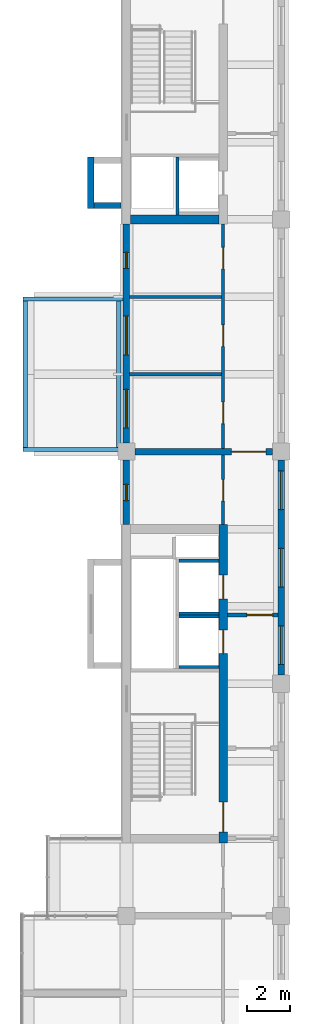
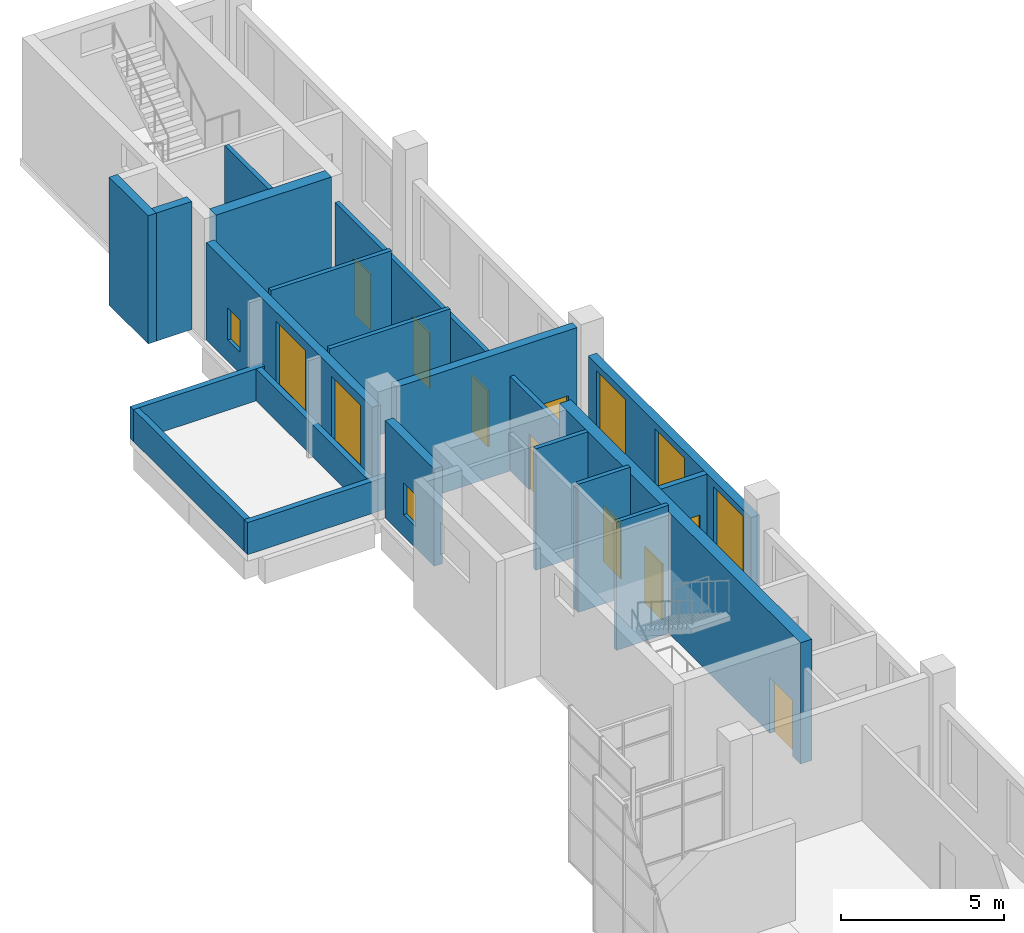
# One storey, part 7 of 9: 22 walls, 9 doors, 7 windows, 16 openings.
"""IFC4 building model written with IfcOpenShell, lengths in metres."""

from ifc_helpers import new_model, si_unit, direction, frame, frame_2d, origin, place, context, subcontext, project, spatial, rectangle, extrude, material, layer, layer_set, type_object, element, fill, save


model = new_model("IFC4")

# Units and contexts
model_context = context("Model", 3, precision=1e-05, world=origin(), true_north=direction((0.0, 1.0)))
body_context = subcontext(model_context, "Body", "Model", "MODEL_VIEW")
ifc_project = project(units=[si_unit("LENGTHUNIT", "METRE"), si_unit("AREAUNIT", "SQUARE_METRE"), si_unit("VOLUMEUNIT", "CUBIC_METRE"), si_unit("PLANEANGLEUNIT", "RADIAN"), si_unit("MASSUNIT", "GRAM", prefix="KILO")], contexts=[model_context])

# Site, building, storey
site_placement = place(None, origin())
site = spatial("IfcSite", under=ifc_project, at=site_placement, CompositionType="ELEMENT")
building_placement = place(site_placement, origin())
building = spatial("IfcBuilding", under=site, at=building_placement, Name="Basin Gate Institute", CompositionType="ELEMENT")
storey_placement = place(building_placement, frame((0.0, 0.0, 70.199951171875)))
storey = spatial("IfcBuildingStorey", under=building, at=storey_placement, Name="L14", CompositionType="ELEMENT", Elevation=70.199951171875)

# Wall, opening, door
ifc_material_1 = material(Name="Fire-rated masonry", Category="masonry")
ifc_layer_1 = layer(ifc_material_1, 0.199951171875)
ifc_layer_set_1 = layer_set([ifc_layer_1], Name="Enclosure wall PW2 200 EI 60")
wall_type_1 = type_object("IfcWallType", Name="Enclosure wall PW2 200 EI 60", PredefinedType="PARTITIONING", material=ifc_layer_set_1)
wall_1_placement = place(storey_placement, frame((65.89990234375, 70.699951171875, 0.0), z_axis=(0.0, 0.0, 1.0), x_axis=(1.0, 0.0, 0.0)))
wall_1 = element("IfcWall", 1, at=wall_1_placement, inside=storey, type_object=wall_type_1, material=ifc_layer_set_1, Name="Emergency lift lobby wall PW2 L14", PredefinedType="PARTITIONING", context=body_context, shape_type="SweptSolid", body=[
    extrude(rectangle(XDim=2.35009765625, YDim=0.199951171875, at=frame_2d((1.175048828125, 0.0))), origin(), (0.0, 0.0, 1.0), 3.550048828125),
])
opening_1_placement = place(wall_1_placement, frame((0.89990234375, 0.0, 0.0)))
opening_1 = element("IfcOpeningElement", 2, at=opening_1_placement, cuts=wall_1, Name="Opening DR524", PredefinedType="OPENING", context=body_context, shape_type="SweptSolid", body=[
    extrude(rectangle(XDim=1.199951171875, YDim=2.10009765625, at=frame_2d((0.60009765625, 1.050048828125))), frame((0.0, 0.10986328125, 0.0), z_axis=(0.0, -1.0, 0.0), x_axis=(1.0, 0.0, 0.0)), (0.0, 0.0, 1.0), 0.219970703125),
])
ifc_material_2 = material(Name="Steel fire door", Category="steel")
door_type_1 = type_object("IfcDoorType", Name="FD60 Emergency lift lobby door D9", OperationType="NOTDEFINED", PredefinedType="DOOR", material=ifc_material_2)
door_1_placement = place(opening_1_placement, frame((1.199951171875, 0.0, 0.0), z_axis=(0.0, 0.0, 1.0), x_axis=(-1.0, 0.0, 0.0)))
door_1 = element("IfcDoor", 3, at=door_1_placement, inside=storey, type_object=door_type_1, material=ifc_material_2, Name="Emergency lift lobby door LF1 L14", OperationType="SINGLE_SWING_LEFT", OverallHeight=2.10009765625, OverallWidth=1.199951171875, PredefinedType="DOOR", context=body_context, shape_type="SweptSolid", body=[
    extrude(rectangle(XDim=1.199951171875, YDim=2.10009765625, at=frame_2d((0.60009765625, 1.050048828125))), frame((0.0, 0.02490234375, 0.0), z_axis=(0.0, -1.0, 0.0), x_axis=(1.0, 0.0, 0.0)), (0.0, 0.0, 1.0), 0.050048828125),
])
fill(opening_1, door_1)

# Wall, opening, window
ifc_material_3 = material(Name="Aluminium-faced insulated panel wall", Category="aluminium")
ifc_layer_2 = layer(ifc_material_3, 0.300048828125)
ifc_layer_set_2 = layer_set([ifc_layer_2], Name="External wall EW5 EI 60")
wall_type_2 = type_object("IfcWallType", Name="External wall EW5 EI 60", PredefinedType="STANDARD", material=ifc_layer_set_2)
wall_2_placement = place(storey_placement, frame((61.199951171875, 74.89990234375, 0.0), z_axis=(0.0, 0.0, 1.0), x_axis=(0.0, 1.0, 0.0)))
wall_2 = element("IfcWall", 4, at=wall_2_placement, inside=storey, type_object=wall_type_2, material=ifc_layer_set_2, Name="External wall W facade L14 1", PredefinedType="STANDARD", context=body_context, shape_type="SweptSolid", body=[
    extrude(rectangle(XDim=3.0, YDim=0.300048828125, at=frame_2d((1.5, 0.0))), origin(), (0.0, 0.0, 1.0), 3.650146484375),
])
opening_2_placement = place(wall_2_placement, frame((1.125, 0.0, 0.800048828125)))
opening_2 = element("IfcOpeningElement", 5, at=opening_2_placement, cuts=wall_2, Name="Opening WN3", PredefinedType="OPENING", context=body_context, shape_type="SweptSolid", body=[
    extrude(rectangle(XDim=0.75, YDim=1.199951171875, at=frame_2d((0.375, 0.60009765625))), frame((0.0, 0.16015625, 0.0), z_axis=(0.0, -1.0, 0.0), x_axis=(1.0, 0.0, 0.0)), (0.0, 0.0, 1.0), 0.320068359375),
])
ifc_material_4 = material(Name="Aluminium-framed double glazing", Category="aluminium")
window_type_1 = type_object("IfcWindowType", Name="Emergency entry panel WN3", PartitioningType="SINGLE_PANEL", PredefinedType="WINDOW", material=ifc_material_4)
window_1_placement = place(opening_2_placement, origin())
window_1 = element("IfcWindow", 6, at=window_1_placement, inside=storey, type_object=window_type_1, material=ifc_material_4, Name="Emergency entry panel W facade L14 bay 12", OverallHeight=1.199951171875, OverallWidth=0.75, PartitioningType="SINGLE_PANEL", PredefinedType="WINDOW", context=body_context, shape_type="SweptSolid", body=[
    extrude(rectangle(XDim=0.75, YDim=1.199951171875, at=frame_2d((0.375, 0.60009765625))), frame((0.0, 0.030029296875, 0.0), z_axis=(0.0, -1.0, 0.0), x_axis=(1.0, 0.0, 0.0)), (0.0, 0.0, 1.0), 0.06005859375),
])
fill(opening_2, window_1)

# Wall, openings, windows
wall_3_placement = place(storey_placement, frame((61.199951171875, 78.699951171875, 0.0), z_axis=(0.0, 0.0, 1.0), x_axis=(0.0, 1.0, 0.0)))
wall_3 = element("IfcWall", 7, at=wall_3_placement, inside=storey, type_object=wall_type_2, material=ifc_layer_set_2, Name="External wall W facade L14 2", PredefinedType="STANDARD", context=body_context, shape_type="SweptSolid", body=[
    extrude(rectangle(XDim=10.199951171875, YDim=0.300048828125, at=frame_2d((5.10009765625, 0.0))), origin(), (0.0, 0.0, 1.0), 3.650146484375),
])
opening_3_placement = place(wall_3_placement, frame((0.699951171875, 0.0, 0.89990234375)))
opening_3 = element("IfcOpeningElement", 8, at=opening_3_placement, cuts=wall_3, Name="Opening WN1", PredefinedType="OPENING", context=body_context, shape_type="SweptSolid", body=[
    extrude(rectangle(XDim=1.800048828125, YDim=2.39990234375, at=frame_2d((0.89990234375, 1.199951171875))), frame((0.0, 0.16015625, 0.0), z_axis=(0.0, -1.0, 0.0), x_axis=(1.0, 0.0, 0.0)), (0.0, 0.0, 1.0), 0.320068359375),
])
opening_4_placement = place(wall_3_placement, frame((4.10009765625, 0.0, 0.89990234375)))
opening_4 = element("IfcOpeningElement", 9, at=opening_4_placement, cuts=wall_3, Name="Opening WN1", PredefinedType="OPENING", context=body_context, shape_type="SweptSolid", body=[
    extrude(rectangle(XDim=1.800048828125, YDim=2.39990234375, at=frame_2d((0.89990234375, 1.199951171875))), frame((0.0, 0.16015625, 0.0), z_axis=(0.0, -1.0, 0.0), x_axis=(1.0, 0.0, 0.0)), (0.0, 0.0, 1.0), 0.320068359375),
])
opening_5_placement = place(wall_3_placement, frame((8.125, 0.0, 0.800048828125)))
opening_5 = element("IfcOpeningElement", 10, at=opening_5_placement, cuts=wall_3, Name="Opening WN3", PredefinedType="OPENING", context=body_context, shape_type="SweptSolid", body=[
    extrude(rectangle(XDim=0.75, YDim=1.199951171875, at=frame_2d((0.375, 0.60009765625))), frame((0.0, 0.16015625, 0.0), z_axis=(0.0, -1.0, 0.0), x_axis=(1.0, 0.0, 0.0)), (0.0, 0.0, 1.0), 0.320068359375),
])
window_2_placement = place(opening_5_placement, origin())
window_2 = element("IfcWindow", 11, at=window_2_placement, inside=storey, type_object=window_type_1, material=ifc_material_4, Name="Emergency entry panel W facade L14 bay 15", OverallHeight=1.199951171875, OverallWidth=0.75, PartitioningType="SINGLE_PANEL", PredefinedType="WINDOW", context=body_context, shape_type="SweptSolid", body=[
    extrude(rectangle(XDim=0.75, YDim=1.199951171875, at=frame_2d((0.375, 0.60009765625))), frame((0.0, 0.030029296875, 0.0), z_axis=(0.0, -1.0, 0.0), x_axis=(1.0, 0.0, 0.0)), (0.0, 0.0, 1.0), 0.06005859375),
])
fill(opening_5, window_2)
ifc_material_5 = material(Name="Aluminium-framed double glazing", Category="aluminium")
window_type_2 = type_object("IfcWindowType", Name="Facade window WN1", PartitioningType="SINGLE_PANEL", PredefinedType="WINDOW", material=ifc_material_5)
window_3_placement = place(opening_3_placement, origin())
window_3 = element("IfcWindow", 12, at=window_3_placement, inside=storey, type_object=window_type_2, material=ifc_material_5, Name="Facade window W facade L14 bay 13", OverallHeight=2.39990234375, OverallWidth=1.800048828125, PartitioningType="SINGLE_PANEL", PredefinedType="WINDOW", context=body_context, shape_type="SweptSolid", body=[
    extrude(rectangle(XDim=1.800048828125, YDim=2.39990234375, at=frame_2d((0.89990234375, 1.199951171875))), frame((0.0, 0.030029296875, 0.0), z_axis=(0.0, -1.0, 0.0), x_axis=(1.0, 0.0, 0.0)), (0.0, 0.0, 1.0), 0.06005859375),
])
fill(opening_3, window_3)
window_4_placement = place(opening_4_placement, origin())
window_4 = element("IfcWindow", 13, at=window_4_placement, inside=storey, type_object=window_type_2, material=ifc_material_5, Name="Facade window W facade L14 bay 14", OverallHeight=2.39990234375, OverallWidth=1.800048828125, PartitioningType="SINGLE_PANEL", PredefinedType="WINDOW", context=body_context, shape_type="SweptSolid", body=[
    extrude(rectangle(XDim=1.800048828125, YDim=2.39990234375, at=frame_2d((0.89990234375, 1.199951171875))), frame((0.0, 0.030029296875, 0.0), z_axis=(0.0, -1.0, 0.0), x_axis=(1.0, 0.0, 0.0)), (0.0, 0.0, 1.0), 0.06005859375),
])
fill(opening_4, window_4)

wall_4_placement = place(storey_placement, frame((68.39990234375, 67.89990234375, 0.0), z_axis=(0.0, 0.0, 1.0), x_axis=(0.0, 1.0, 0.0)))
wall_4 = element("IfcWall", 14, at=wall_4_placement, inside=storey, type_object=wall_type_2, material=ifc_layer_set_2, Name="External wall W step face L14 bay 4", PredefinedType="STANDARD", context=body_context, shape_type="SweptSolid", body=[
    extrude(rectangle(XDim=10.0, YDim=0.300048828125, at=frame_2d((5.0, 0.0))), origin(), (0.0, 0.0, 1.0), 3.550048828125),
])
opening_6_placement = place(wall_4_placement, frame((0.5, 0.0, 0.89990234375)))
opening_6 = element("IfcOpeningElement", 15, at=opening_6_placement, cuts=wall_4, Name="Opening WN6", PredefinedType="OPENING", context=body_context, shape_type="SweptSolid", body=[
    extrude(rectangle(XDim=1.800048828125, YDim=2.39990234375, at=frame_2d((0.89990234375, 1.199951171875))), frame((0.0, 0.16015625, 0.0), z_axis=(0.0, -1.0, 0.0), x_axis=(1.0, 0.0, 0.0)), (0.0, 0.0, 1.0), 0.320068359375),
])
opening_7_placement = place(wall_4_placement, frame((4.10009765625, 0.0, 0.89990234375)))
opening_7 = element("IfcOpeningElement", 16, at=opening_7_placement, cuts=wall_4, Name="Opening WV1", PredefinedType="OPENING", context=body_context, shape_type="SweptSolid", body=[
    extrude(rectangle(XDim=1.800048828125, YDim=2.39990234375, at=frame_2d((0.89990234375, 1.199951171875))), frame((0.0, 0.16015625, 0.0), z_axis=(0.0, -1.0, 0.0), x_axis=(1.0, 0.0, 0.0)), (0.0, 0.0, 1.0), 0.320068359375),
])
opening_8_placement = place(wall_4_placement, frame((7.699951171875, 0.0, 0.89990234375)))
opening_8 = element("IfcOpeningElement", 17, at=opening_8_placement, cuts=wall_4, Name="Opening WN1", PredefinedType="OPENING", context=body_context, shape_type="SweptSolid", body=[
    extrude(rectangle(XDim=1.800048828125, YDim=2.39990234375, at=frame_2d((0.89990234375, 1.199951171875))), frame((0.0, 0.16015625, 0.0), z_axis=(0.0, -1.0, 0.0), x_axis=(1.0, 0.0, 0.0)), (0.0, 0.0, 1.0), 0.320068359375),
])
window_5_placement = place(opening_8_placement, origin())
window_5 = element("IfcWindow", 18, at=window_5_placement, inside=storey, type_object=window_type_2, material=ifc_material_5, Name="Facade window W step face L14 bay 4.3", OverallHeight=2.39990234375, OverallWidth=1.800048828125, PartitioningType="SINGLE_PANEL", PredefinedType="WINDOW", context=body_context, shape_type="SweptSolid", body=[
    extrude(rectangle(XDim=1.800048828125, YDim=2.39990234375, at=frame_2d((0.89990234375, 1.199951171875))), frame((0.0, 0.030029296875, 0.0), z_axis=(0.0, -1.0, 0.0), x_axis=(1.0, 0.0, 0.0)), (0.0, 0.0, 1.0), 0.06005859375),
])
fill(opening_8, window_5)
ifc_material_6 = material(Name="Fire-resistant glazing in steel-free frame", Category="steel")
window_type_3 = type_object("IfcWindowType", Name="Fire-rated fixed step window WN6", PartitioningType="SINGLE_PANEL", PredefinedType="WINDOW", material=ifc_material_6)
window_6_placement = place(opening_6_placement, origin())
window_6 = element("IfcWindow", 19, at=window_6_placement, inside=storey, type_object=window_type_3, material=ifc_material_6, Name="Fire-rated fixed step window W step face L14 bay 4.1", OverallHeight=2.39990234375, OverallWidth=1.800048828125, PartitioningType="SINGLE_PANEL", PredefinedType="WINDOW", context=body_context, shape_type="SweptSolid", body=[
    extrude(rectangle(XDim=1.800048828125, YDim=2.39990234375, at=frame_2d((0.89990234375, 1.199951171875))), frame((0.0, 0.030029296875, 0.0), z_axis=(0.0, -1.0, 0.0), x_axis=(1.0, 0.0, 0.0)), (0.0, 0.0, 1.0), 0.06005859375),
])
fill(opening_6, window_6)
ifc_material_7 = material(Name="Aluminium louvre blades", Category="aluminium")
window_type_4 = type_object("IfcWindowType", Name="Services louvre panel WV1", PartitioningType="SINGLE_PANEL", PredefinedType="WINDOW", material=ifc_material_7)
window_7_placement = place(opening_7_placement, origin())
window_7 = element("IfcWindow", 20, at=window_7_placement, inside=storey, type_object=window_type_4, material=ifc_material_7, Name="Services louvre panel W step face L14 bay 4.2", OverallHeight=2.39990234375, OverallWidth=1.800048828125, PartitioningType="SINGLE_PANEL", PredefinedType="WINDOW", context=body_context, shape_type="SweptSolid", body=[
    extrude(rectangle(XDim=1.800048828125, YDim=2.39990234375, at=frame_2d((0.89990234375, 1.199951171875))), frame((0.0, 0.030029296875, 0.0), z_axis=(0.0, -1.0, 0.0), x_axis=(1.0, 0.0, 0.0)), (0.0, 0.0, 1.0), 0.06005859375),
])
fill(opening_7, window_7)

# Walls
ifc_material_8 = material(Name="Concrete 40 MPa", Category="concrete")
ifc_layer_3 = layer(ifc_material_8, 0.199951171875)
ifc_layer_set_3 = layer_set([ifc_layer_3], Name="Concrete 40 MPa")
wall_type_3 = type_object("IfcWallType", Name="Parapet wall PA1", PredefinedType="PARAPET", material=ifc_layer_set_3)
wall_5_placement = place(storey_placement, frame((61.60009765625, 78.39990234375, 0.0), z_axis=(0.0, 0.0, 1.0), x_axis=(-1.0, 0.0, 0.0)))
element("IfcWall", 21, at=wall_5_placement, inside=storey, type_object=wall_type_3, material=ifc_layer_set_3, Name="Parapet wall PA1 L14 W1", PredefinedType="PARAPET", context=body_context, shape_type="SweptSolid", body=[
    extrude(rectangle(XDim=5.2001953125, YDim=0.199951171875, at=frame_2d((2.60009765625, 0.0))), origin(), (0.0, 0.0, 1.0), 1.199951171875),
])
wall_6_placement = place(storey_placement, frame((56.5, 78.5, 0.0), z_axis=(0.0, 0.0, 1.0), x_axis=(0.0, 1.0, 0.0)))
element("IfcWall", 22, at=wall_6_placement, inside=storey, type_object=wall_type_3, material=ifc_layer_set_3, Name="Parapet wall PA1 L14 W2", PredefinedType="PARAPET", context=body_context, shape_type="SweptSolid", body=[
    extrude(rectangle(XDim=6.800048828125, YDim=0.199951171875, at=frame_2d((3.39990234375, 0.0))), origin(), (0.0, 0.0, 1.0), 1.199951171875),
])
wall_7_placement = place(storey_placement, frame((56.39990234375, 85.39990234375, 0.0), z_axis=(0.0, 0.0, 1.0), x_axis=(1.0, 0.0, 0.0)))
element("IfcWall", 23, at=wall_7_placement, inside=storey, type_object=wall_type_3, material=ifc_layer_set_3, Name="Parapet wall PA1 L14 W3", PredefinedType="PARAPET", context=body_context, shape_type="SweptSolid", body=[
    extrude(rectangle(XDim=4.650146484375, YDim=0.199951171875, at=frame_2d((2.3251953125, 0.0))), origin(), (0.0, 0.0, 1.0), 1.199951171875),
])
wall_8_placement = place(storey_placement, frame((60.85009765625, 85.300048828125, 0.0), z_axis=(0.0, 0.0, 1.0), x_axis=(0.0, -1.0, 0.0)))
element("IfcWall", 24, at=wall_8_placement, inside=storey, type_object=wall_type_3, material=ifc_layer_set_3, Name="Parapet wall PA1 L14 W4", PredefinedType="PARAPET", context=body_context, shape_type="SweptSolid", body=[
    extrude(rectangle(XDim=6.800048828125, YDim=0.199951171875, at=frame_2d((3.39990234375, 0.0))), origin(), (0.0, 0.0, 1.0), 1.199951171875),
])

# Wall, opening, door
ifc_material_9 = material(Name="Gypsum board on steel stud", Category="steel")
ifc_layer_4 = layer(ifc_material_9, 0.14990234375)
ifc_layer_set_4 = layer_set([ifc_layer_4], Name="Gypsum board on steel stud")
wall_type_4 = type_object("IfcWallType", Name="Partition PW1 150 EI 60", PredefinedType="PARTITIONING", material=ifc_layer_set_4)
wall_9_placement = place(storey_placement, frame((65.699951171875, 74.89990234375, 0.0), z_axis=(0.0, 0.0, 1.0), x_axis=(0.0, 1.0, 0.0)))
wall_9 = element("IfcWall", 25, at=wall_9_placement, inside=storey, type_object=wall_type_4, material=ifc_layer_set_4, Name="Corridor wall PW1 L14", PredefinedType="PARTITIONING", context=body_context, shape_type="SweptSolid", body=[
    extrude(rectangle(XDim=3.25, YDim=0.14990234375, at=frame_2d((1.625, 0.0))), origin(), (0.0, 0.0, 1.0), 3.550048828125),
])
opening_9_placement = place(wall_9_placement, frame((1.10009765625, 0.0, 0.0)))
opening_9 = element("IfcOpeningElement", 26, at=opening_9_placement, cuts=wall_9, Name="Opening DR519", PredefinedType="OPENING", context=body_context, shape_type="SweptSolid", body=[
    extrude(rectangle(XDim=1.0, YDim=2.10009765625, at=frame_2d((0.5, 1.050048828125))), frame((0.0, 0.0849609375, 0.0), z_axis=(0.0, -1.0, 0.0), x_axis=(1.0, 0.0, 0.0)), (0.0, 0.0, 1.0), 0.169921875),
])
ifc_material_10 = material(Name="Timber fire door", Category="wood")
door_type_2 = type_object("IfcDoorType", Name="FD30 Toilet door D3", OperationType="NOTDEFINED", PredefinedType="DOOR", material=ifc_material_10)
door_2_placement = place(opening_9_placement, origin())
door_2 = element("IfcDoor", 27, at=door_2_placement, inside=storey, type_object=door_type_2, material=ifc_material_10, Name="Door to Female WC L14", OperationType="SINGLE_SWING_LEFT", OverallHeight=2.10009765625, OverallWidth=1.0, PredefinedType="DOOR", context=body_context, shape_type="SweptSolid", body=[
    extrude(rectangle(XDim=1.0, YDim=2.10009765625, at=frame_2d((0.5, 1.050048828125))), frame((0.0, 0.02490234375, 0.0), z_axis=(0.0, -1.0, 0.0), x_axis=(1.0, 0.0, 0.0)), (0.0, 0.0, 1.0), 0.050048828125),
])
fill(opening_9, door_2)

# Wall, openings, doors
wall_10_placement = place(storey_placement, frame((65.699951171875, 78.449951171875, 0.0), z_axis=(0.0, 0.0, 1.0), x_axis=(0.0, 1.0, 0.0)))
wall_10 = element("IfcWall", 28, at=wall_10_placement, inside=storey, type_object=wall_type_4, material=ifc_layer_set_4, Name="Corridor wall PW1 L14", PredefinedType="PARTITIONING", context=body_context, shape_type="SweptSolid", body=[
    extrude(rectangle(XDim=10.449951171875, YDim=0.14990234375, at=frame_2d((5.22509765625, 0.0))), origin(), (0.0, 0.0, 1.0), 3.550048828125),
])
opening_10_placement = place(wall_10_placement, frame((1.14990234375, 0.0, 0.0)))
opening_10 = element("IfcOpeningElement", 29, at=opening_10_placement, cuts=wall_10, Name="Opening DR518", PredefinedType="OPENING", context=body_context, shape_type="SweptSolid", body=[
    extrude(rectangle(XDim=1.0, YDim=2.10009765625, at=frame_2d((0.5, 1.050048828125))), frame((0.0, 0.0849609375, 0.0), z_axis=(0.0, -1.0, 0.0), x_axis=(1.0, 0.0, 0.0)), (0.0, 0.0, 1.0), 0.169921875),
])
opening_11_placement = place(wall_10_placement, frame((4.75, 0.0, 0.0)))
opening_11 = element("IfcOpeningElement", 30, at=opening_11_placement, cuts=wall_10, Name="Opening DR520", PredefinedType="OPENING", context=body_context, shape_type="SweptSolid", body=[
    extrude(rectangle(XDim=1.0, YDim=2.10009765625, at=frame_2d((0.5, 1.050048828125))), frame((0.0, 0.0849609375, 0.0), z_axis=(0.0, -1.0, 0.0), x_axis=(1.0, 0.0, 0.0)), (0.0, 0.0, 1.0), 0.169921875),
])
opening_12_placement = place(wall_10_placement, frame((8.35009765625, 0.0, 0.0)))
opening_12 = element("IfcOpeningElement", 31, at=opening_12_placement, cuts=wall_10, Name="Opening DR522", PredefinedType="OPENING", context=body_context, shape_type="SweptSolid", body=[
    extrude(rectangle(XDim=1.0, YDim=2.10009765625, at=frame_2d((0.5, 1.050048828125))), frame((0.0, 0.0849609375, 0.0), z_axis=(0.0, -1.0, 0.0), x_axis=(1.0, 0.0, 0.0)), (0.0, 0.0, 1.0), 0.169921875),
])
door_3_placement = place(opening_10_placement, origin())
door_3 = element("IfcDoor", 32, at=door_3_placement, inside=storey, type_object=door_type_2, material=ifc_material_10, Name="Door to Accessible WC L14", OperationType="SINGLE_SWING_LEFT", OverallHeight=2.10009765625, OverallWidth=1.0, PredefinedType="DOOR", context=body_context, shape_type="SweptSolid", body=[
    extrude(rectangle(XDim=1.0, YDim=2.10009765625, at=frame_2d((0.5, 1.050048828125))), frame((0.0, 0.02490234375, 0.0), z_axis=(0.0, -1.0, 0.0), x_axis=(1.0, 0.0, 0.0)), (0.0, 0.0, 1.0), 0.050048828125),
])
fill(opening_10, door_3)
door_4_placement = place(opening_11_placement, origin())
door_4 = element("IfcDoor", 33, at=door_4_placement, inside=storey, type_object=door_type_2, material=ifc_material_10, Name="Door to Female WC L14", OperationType="SINGLE_SWING_LEFT", OverallHeight=2.10009765625, OverallWidth=1.0, PredefinedType="DOOR", context=body_context, shape_type="SweptSolid", body=[
    extrude(rectangle(XDim=1.0, YDim=2.10009765625, at=frame_2d((0.5, 1.050048828125))), frame((0.0, 0.02490234375, 0.0), z_axis=(0.0, -1.0, 0.0), x_axis=(1.0, 0.0, 0.0)), (0.0, 0.0, 1.0), 0.050048828125),
])
fill(opening_11, door_4)
door_5_placement = place(opening_12_placement, origin())
door_5 = element("IfcDoor", 34, at=door_5_placement, inside=storey, type_object=door_type_2, material=ifc_material_10, Name="Door to Male WC L14", OperationType="SINGLE_SWING_RIGHT", OverallHeight=2.10009765625, OverallWidth=1.0, PredefinedType="DOOR", context=body_context, shape_type="SweptSolid", body=[
    extrude(rectangle(XDim=1.0, YDim=2.10009765625, at=frame_2d((0.5, 1.050048828125))), frame((0.0, 0.02490234375, 0.0), z_axis=(0.0, -1.0, 0.0), x_axis=(1.0, 0.0, 0.0)), (0.0, 0.0, 1.0), 0.050048828125),
])
fill(opening_12, door_5)

# Walls
ifc_material_11 = material(Name="Gypsum board on steel stud", Category="steel")
ifc_layer_5 = layer(ifc_material_11, 0.14990234375)
ifc_layer_set_5 = layer_set([ifc_layer_5], Name="Gypsum board on steel stud")
wall_type_5 = type_object("IfcWallType", Name="Partition PW4 150", PredefinedType="PARTITIONING", material=ifc_layer_set_5)
for number, where, z_axis, x_axis, name in (
    (35, (61.35009765625, 81.89990234375, 0.0), (0.0, 0.0, 1.0), (1.0, 0.0, 0.0), "Toilet partition PW4 L14"),
    (36, (61.35009765625, 85.5, 0.0), (0.0, 0.0, 1.0), (1.0, 0.0, 0.0), "Toilet partition PW4 L14"),
):
    element("IfcWall", number, at=place(storey_placement, frame(where, z_axis=z_axis, x_axis=x_axis)), inside=storey, type_object=wall_type_5, material=ifc_layer_set_5, Name=name, PredefinedType="PARTITIONING", context=body_context, shape_type="SweptSolid", body=[
        extrude(rectangle(XDim=4.27490234375, YDim=0.14990234375, at=frame_2d((2.137451171875, 0.0))), origin(), (0.0, 0.0, 1.0), 3.85009765625),
    ])
ifc_material_12 = material(Name="Concrete 40 MPa", Category="concrete")
ifc_layer_6 = layer(ifc_material_12, 0.14990234375)
ifc_layer_set_6 = layer_set([ifc_layer_6], Name="Concrete 40 MPa")
wall_type_6 = type_object("IfcWallType", Name="Wall LS1 lift shaft enclosure R60", PredefinedType="SOLIDWALL", material=ifc_layer_set_6)
for number, where, z_axis, x_axis, name in (
    (37, (63.64990234375, 68.27490234375, 0.0), (0.0, 0.0, 1.0), (1.0, 0.0, 0.0), "Lift shaft enclosure LF1 L14 RL"),
    (38, (63.64990234375, 70.625, 0.0), (0.0, 0.0, 1.0), (1.0, 0.0, 0.0), "Lift shaft enclosure LF1 L14 RH"),
):
    element("IfcWall", number, at=place(storey_placement, frame(where, z_axis=z_axis, x_axis=x_axis)), inside=storey, type_object=wall_type_6, material=ifc_layer_set_6, Name=name, PredefinedType="SOLIDWALL", context=body_context, shape_type="SweptSolid", body=[
        extrude(rectangle(XDim=1.85009765625, YDim=0.14990234375, at=frame_2d((0.925048828125, 0.0))), origin(), (0.0, 0.0, 1.0), 4.800048828125),
    ])
for number, where, z_axis, x_axis, name in (
    (39, (63.64990234375, 70.77490234375, 0.0), (0.0, 0.0, 1.0), (1.0, 0.0, 0.0), "Lift shaft enclosure LP2 L14 RL"),
    (40, (63.64990234375, 73.22509765625, 0.0), (0.0, 0.0, 1.0), (1.0, 0.0, 0.0), "Lift shaft enclosure LP2 L14 RH"),
):
    element("IfcWall", number, at=place(storey_placement, frame(where, z_axis=z_axis, x_axis=x_axis)), inside=storey, type_object=wall_type_6, material=ifc_layer_set_6, Name=name, PredefinedType="SOLIDWALL", context=body_context, shape_type="SweptSolid", body=[
        extrude(rectangle(XDim=1.85009765625, YDim=0.14990234375, at=frame_2d((0.925048828125, 0.0))), origin(), (0.0, 0.0, 1.0), 4.550048828125),
    ])
wall_11_placement = place(storey_placement, frame((63.574951171875, 92.0, 0.0), z_axis=(0.0, 0.0, 1.0), x_axis=(0.0, -1.0, 0.0)))
element("IfcWall", 41, at=wall_11_placement, inside=storey, type_object=wall_type_6, material=ifc_layer_set_6, Name="Lift shaft enclosure LP3 L14 UL", PredefinedType="SOLIDWALL", context=body_context, shape_type="SweptSolid", body=[
    extrude(rectangle(XDim=2.699951171875, YDim=0.14990234375, at=frame_2d((1.35009765625, 0.0))), origin(), (0.0, 0.0, 1.0), 4.550048828125),
])
ifc_material_13 = material(Name="Concrete 50 MPa", Category="concrete")
ifc_layer_7 = layer(ifc_material_13, 0.300048828125)
ifc_layer_set_7 = layer_set([ifc_layer_7], Name="Concrete 50 MPa")
wall_type_7 = type_object("IfcWallType", Name="Wall SK1 R60", PredefinedType="SHEAR", material=ifc_layer_set_7)
wall_12_placement = place(storey_placement, frame((59.550048828125, 89.60009765625, 0.0), z_axis=(0.0, 0.0, 1.0), x_axis=(0.0, 1.0, 0.0)))
element("IfcWall", 42, at=wall_12_placement, inside=storey, type_object=wall_type_7, material=ifc_layer_set_7, Name="Spine riser stack wall SK1 WN F L14", PredefinedType="SHEAR", context=body_context, shape_type="SweptSolid", body=[
    extrude(rectangle(XDim=2.39990234375, YDim=0.300048828125, at=frame_2d((1.199951171875, 0.0))), origin(), (0.0, 0.0, 1.0), 4.800048828125),
])
wall_13_placement = place(storey_placement, frame((60.949951171875, 89.75, 0.0), z_axis=(0.0, 0.0, 1.0), x_axis=(-1.0, 0.0, 0.0)))
element("IfcWall", 43, at=wall_13_placement, inside=storey, type_object=wall_type_7, material=ifc_layer_set_7, Name="Spine riser stack wall SK1 WN A L14", PredefinedType="SHEAR", context=body_context, shape_type="SweptSolid", body=[
    extrude(rectangle(XDim=1.25, YDim=0.300048828125, at=frame_2d((0.625, 0.0))), origin(), (0.0, 0.0, 1.0), 4.800048828125),
])

# Wall, openings, doors
ifc_material_14 = material(Name="Concrete 50 MPa", Category="concrete")
ifc_layer_8 = layer(ifc_material_14, 0.39990234375)
ifc_layer_set_8 = layer_set([ifc_layer_8], Name="Concrete 50 MPa")
wall_type_8 = type_object("IfcWallType", Name="Wall SW2 R60", PredefinedType="SHEAR", material=ifc_layer_set_8)
wall_14_placement = place(storey_placement, frame((65.699951171875, 60.10009765625, 0.0), z_axis=(0.0, 0.0, 1.0), x_axis=(0.0, 1.0, 0.0)))
wall_14 = element("IfcWall", 44, at=wall_14_placement, inside=storey, type_object=wall_type_8, material=ifc_layer_set_8, Name="WALL/L14/WM/C", PredefinedType="SHEAR", context=body_context, shape_type="SweptSolid", body=[
    extrude(rectangle(XDim=14.7998046875, YDim=0.39990234375, at=frame_2d((7.39990234375, 0.0))), origin(), (0.0, 0.0, 1.0), 4.550048828125),
])
opening_13_placement = place(wall_14_placement, frame((0.5, 0.0, 0.0)))
opening_13 = element("IfcOpeningElement", 45, at=opening_13_placement, cuts=wall_14, Name="Opening DS071", PredefinedType="OPENING", context=body_context, shape_type="SweptSolid", body=[
    extrude(rectangle(XDim=1.39990234375, YDim=2.10009765625, at=frame_2d((0.699951171875, 1.050048828125))), frame((0.0, 0.2099609375, 0.0), z_axis=(0.0, -1.0, 0.0), x_axis=(1.0, 0.0, 0.0)), (0.0, 0.0, 1.0), 0.419921875),
])
opening_14_placement = place(wall_14_placement, frame((8.800048828125, 0.0, 0.0)))
opening_14 = element("IfcOpeningElement", 46, at=opening_14_placement, cuts=wall_14, Name="Opening LD034", PredefinedType="OPENING", context=body_context, shape_type="SweptSolid", body=[
    extrude(rectangle(XDim=1.10009765625, YDim=2.10009765625, at=frame_2d((0.550048828125, 1.050048828125))), frame((0.0, 0.2099609375, 0.0), z_axis=(0.0, -1.0, 0.0), x_axis=(1.0, 0.0, 0.0)), (0.0, 0.0, 1.0), 0.419921875),
])
opening_15_placement = place(wall_14_placement, frame((11.35009765625, 0.0, 0.0)))
opening_15 = element("IfcOpeningElement", 47, at=opening_15_placement, cuts=wall_14, Name="Opening LD052", PredefinedType="OPENING", context=body_context, shape_type="SweptSolid", body=[
    extrude(rectangle(XDim=1.10009765625, YDim=2.10009765625, at=frame_2d((0.550048828125, 1.050048828125))), frame((0.0, 0.2099609375, 0.0), z_axis=(0.0, -1.0, 0.0), x_axis=(1.0, 0.0, 0.0)), (0.0, 0.0, 1.0), 0.419921875),
])
ifc_material_15 = material(Name="Steel fire door", Category="steel")
door_type_3 = type_object("IfcDoorType", Name="FD30 Stair enclosure door DS", OperationType="DOUBLE_DOOR_SINGLE_SWING", PredefinedType="DOOR", material=ifc_material_15)
door_6_placement = place(opening_13_placement, origin())
door_6 = element("IfcDoor", 48, at=door_6_placement, inside=storey, type_object=door_type_3, material=ifc_material_15, Name="Stair enclosure door ST-WM L14", OperationType="DOUBLE_DOOR_SINGLE_SWING", OverallHeight=2.10009765625, OverallWidth=1.39990234375, PredefinedType="DOOR", context=body_context, shape_type="SweptSolid", body=[
    extrude(rectangle(XDim=1.39990234375, YDim=2.10009765625, at=frame_2d((0.699951171875, 1.050048828125))), frame((0.0, 0.02490234375, 0.0), z_axis=(0.0, -1.0, 0.0), x_axis=(1.0, 0.0, 0.0)), (0.0, 0.0, 1.0), 0.050048828125),
])
fill(opening_13, door_6)
ifc_material_16 = material(Name="Stainless steel", Category="steel")
door_type_4 = type_object("IfcDoorType", Name="FD60 Lift landing door LD", OperationType="SLIDING_TO_LEFT", PredefinedType="DOOR", material=ifc_material_16)
door_7_placement = place(opening_14_placement, origin())
door_7 = element("IfcDoor", 49, at=door_7_placement, inside=storey, type_object=door_type_4, material=ifc_material_16, Name="Lift landing door LF1 L14", OperationType="SLIDING_TO_LEFT", OverallHeight=2.10009765625, OverallWidth=1.10009765625, PredefinedType="DOOR", context=body_context, shape_type="SweptSolid", body=[
    extrude(rectangle(XDim=1.10009765625, YDim=2.10009765625, at=frame_2d((0.550048828125, 1.050048828125))), frame((0.0, 0.02490234375, 0.0), z_axis=(0.0, -1.0, 0.0), x_axis=(1.0, 0.0, 0.0)), (0.0, 0.0, 1.0), 0.050048828125),
])
fill(opening_14, door_7)
door_8_placement = place(opening_15_placement, origin())
door_8 = element("IfcDoor", 50, at=door_8_placement, inside=storey, type_object=door_type_4, material=ifc_material_16, Name="Lift landing door LP2 L14", OperationType="SLIDING_TO_LEFT", OverallHeight=2.10009765625, OverallWidth=1.10009765625, PredefinedType="DOOR", context=body_context, shape_type="SweptSolid", body=[
    extrude(rectangle(XDim=1.10009765625, YDim=2.10009765625, at=frame_2d((0.550048828125, 1.050048828125))), frame((0.0, 0.02490234375, 0.0), z_axis=(0.0, -1.0, 0.0), x_axis=(1.0, 0.0, 0.0)), (0.0, 0.0, 1.0), 0.050048828125),
])
fill(opening_15, door_8)

# Wall
wall_15_placement = place(storey_placement, frame((61.39990234375, 89.10009765625, 0.0), z_axis=(0.0, 0.0, 1.0), x_axis=(1.0, 0.0, 0.0)))
element("IfcWall", 51, at=wall_15_placement, inside=storey, type_object=wall_type_8, material=ifc_layer_set_8, Name="WALL/L14/WN/S", PredefinedType="SHEAR", context=body_context, shape_type="SweptSolid", body=[
    extrude(rectangle(XDim=4.10009765625, YDim=0.39990234375, at=frame_2d((2.050048828125, 0.0))), origin(), (0.0, 0.0, 1.0), 4.550048828125),
])

# Wall, opening, door
ifc_material_17 = material(Name="Concrete 50 MPa", Category="concrete")
ifc_layer_9 = layer(ifc_material_17, 0.300048828125)
ifc_layer_set_9 = layer_set([ifc_layer_9], Name="Concrete 50 MPa")
wall_type_9 = type_object("IfcWallType", Name="Wall XW1 R60", PredefinedType="SHEAR", material=ifc_layer_set_9)
wall_16_placement = place(storey_placement, frame((61.60009765625, 78.300048828125, 0.0), z_axis=(0.0, 0.0, 1.0), x_axis=(1.0, 0.0, 0.0)))
wall_16 = element("IfcWall", 52, at=wall_16_placement, inside=storey, type_object=wall_type_9, material=ifc_layer_set_9, Name="WALL/L14/WXE/1", PredefinedType="SHEAR", context=body_context, shape_type="SweptSolid", body=[
    extrude(rectangle(XDim=6.39990234375, YDim=0.300048828125, at=frame_2d((3.199951171875, 0.0))), origin(), (0.0, 0.0, 1.0), 4.550048828125),
])
opening_16_placement = place(wall_16_placement, frame((4.487548828125, 0.0, 0.0)))
opening_16 = element("IfcOpeningElement", 53, at=opening_16_placement, cuts=wall_16, Name="Opening DR530", PredefinedType="OPENING", context=body_context, shape_type="SweptSolid", body=[
    extrude(rectangle(XDim=1.60009765625, YDim=2.10009765625, at=frame_2d((0.800048828125, 1.050048828125))), frame((0.0, 0.16015625, 0.0), z_axis=(0.0, -1.0, 0.0), x_axis=(1.0, 0.0, 0.0)), (0.0, 0.0, 1.0), 0.320068359375),
])
ifc_material_18 = material(Name="Steel fire door", Category="steel")
door_type_5 = type_object("IfcDoorType", Name="FD60 Compartment door pair D7", OperationType="DOUBLE_DOOR_SINGLE_SWING", PredefinedType="DOOR", material=ifc_material_18)
door_9_placement = place(opening_16_placement, frame((1.60009765625, 0.0, 0.0), z_axis=(0.0, 0.0, 1.0), x_axis=(-1.0, 0.0, 0.0)))
door_9 = element("IfcDoor", 54, at=door_9_placement, inside=storey, type_object=door_type_5, material=ifc_material_18, Name="Compartment door pair L14 W2 L14", OperationType="DOUBLE_DOOR_SINGLE_SWING", OverallHeight=2.10009765625, OverallWidth=1.60009765625, PredefinedType="DOOR", context=body_context, shape_type="SweptSolid", body=[
    extrude(rectangle(XDim=1.60009765625, YDim=2.10009765625, at=frame_2d((0.800048828125, 1.050048828125))), frame((0.0, 0.02490234375, 0.0), z_axis=(0.0, -1.0, 0.0), x_axis=(1.0, 0.0, 0.0)), (0.0, 0.0, 1.0), 0.050048828125),
])
fill(opening_16, door_9)

save(model, "model.ifc")
